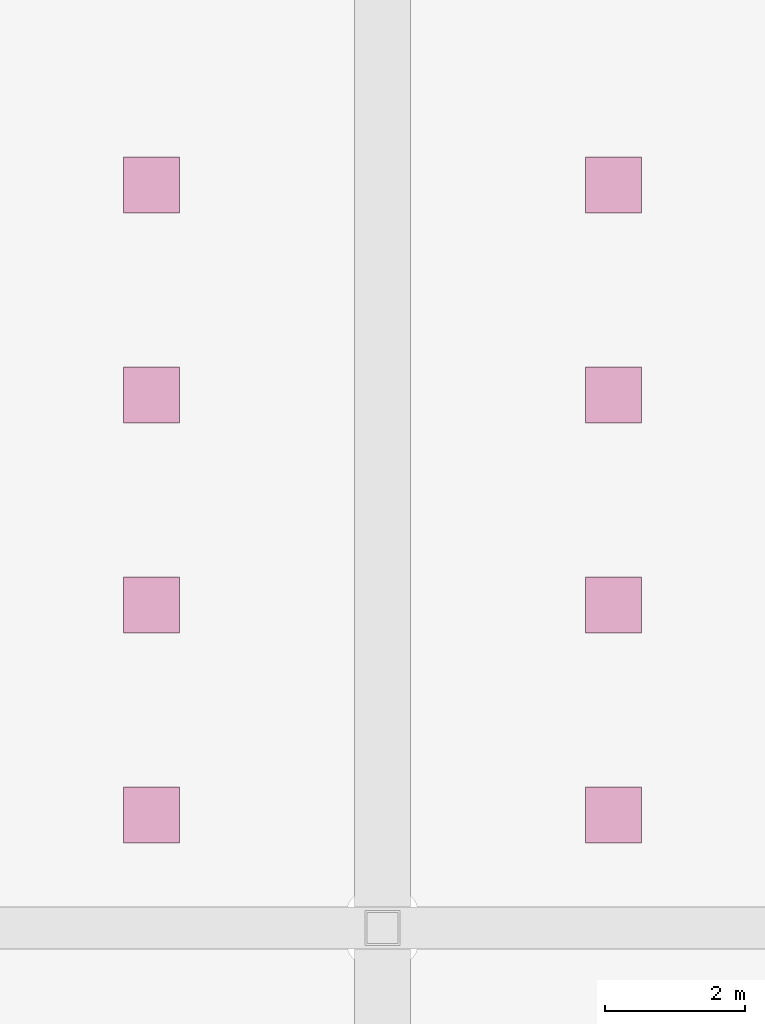
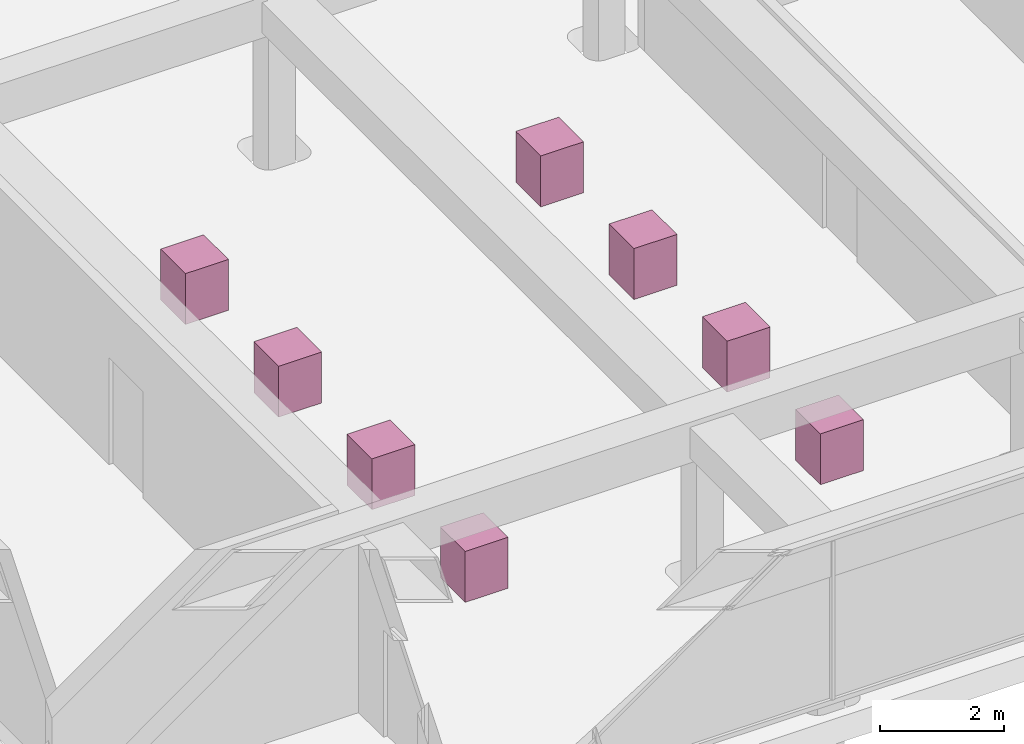
# One storey, part 28 of 28: 8 furniture elements.
"""IFC4 building model written with IfcOpenShell, lengths in metres."""

from ifc_helpers import new_model, si_unit, direction, frame, origin, origin_2d, place, context, subcontext, project, spatial, rectangle, extrude, material, type_object, element, save


model = new_model("IFC4")

# Units and contexts
model_context = context("Model", 3, precision=1e-05, world=origin(), true_north=direction((0.0, 1.0)))
body_context = subcontext(model_context, "Body", "Model", "MODEL_VIEW")
ifc_project = project(units=[si_unit("LENGTHUNIT", "METRE"), si_unit("AREAUNIT", "SQUARE_METRE"), si_unit("VOLUMEUNIT", "CUBIC_METRE"), si_unit("PLANEANGLEUNIT", "RADIAN"), si_unit("MASSUNIT", "GRAM", prefix="KILO")], contexts=[model_context])

# Site, building, storey
site_placement = place(None, origin())
site = spatial("IfcSite", under=ifc_project, at=site_placement, CompositionType="ELEMENT")
building_placement = place(site_placement, origin())
building = spatial("IfcBuilding", under=site, at=building_placement, Name="Mirante Cascada Hotel Towers", CompositionType="ELEMENT")
storey_placement = place(building_placement, frame((0.0, 0.0, 262.2)))
storey = spatial("IfcBuildingStorey", under=building, at=storey_placement, Name="L63", CompositionType="ELEMENT", Elevation=262.2)

# Furniture
ifc_material = material(Name="Painted timber", Category="wood")
furniture_type = type_object("IfcFurnitureType", Name="Exhibition plinth 800x800x1000", AssemblyPlace="NOTDEFINED", PredefinedType="TABLE", material=ifc_material)
for number, where, z_axis, x_axis, name in (
    (1, (-3.3, -16.0, 0.0), (0.0, 0.0, 1.0), (1.0, 0.0, 0.0), "Exhibition plinth L63 1"),
    (2, (-3.3, -13.0, 0.0), (0.0, 0.0, 1.0), (1.0, 0.0, 0.0), "Exhibition plinth L63 2"),
    (3, (-3.3, -10.0, 0.0), (0.0, 0.0, 1.0), (1.0, 0.0, 0.0), "Exhibition plinth L63 3"),
    (4, (-3.3, -7.0, 0.0), (0.0, 0.0, 1.0), (1.0, 0.0, 0.0), "Exhibition plinth L63 4"),
    (5, (3.3, -16.0, 0.0), (0.0, 0.0, 1.0), (1.0, 0.0, 0.0), "Exhibition plinth L63 5"),
    (6, (3.3, -13.0, 0.0), (0.0, 0.0, 1.0), (1.0, 0.0, 0.0), "Exhibition plinth L63 6"),
    (7, (3.3, -10.0, 0.0), (0.0, 0.0, 1.0), (1.0, 0.0, 0.0), "Exhibition plinth L63 7"),
    (8, (3.3, -7.0, 0.0), (0.0, 0.0, 1.0), (1.0, 0.0, 0.0), "Exhibition plinth L63 8"),
):
    element("IfcFurniture", number, at=place(storey_placement, frame(where, z_axis=z_axis, x_axis=x_axis)), inside=storey, type_object=furniture_type, Name=name, PredefinedType="TABLE", context=body_context, shape_type="SweptSolid", body=[
        extrude(rectangle(XDim=0.8, YDim=0.8, at=origin_2d()), origin(), (0.0, 0.0, 1.0), 1.0),
    ])

save(model, "model.ifc")
